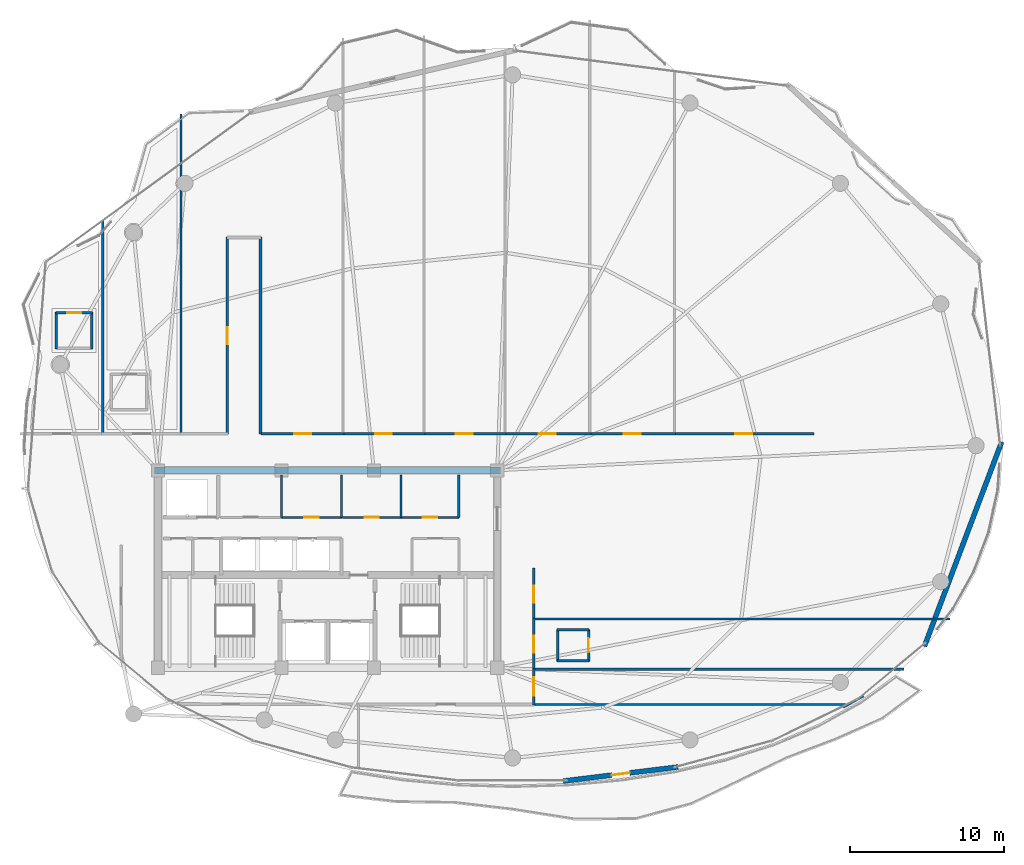
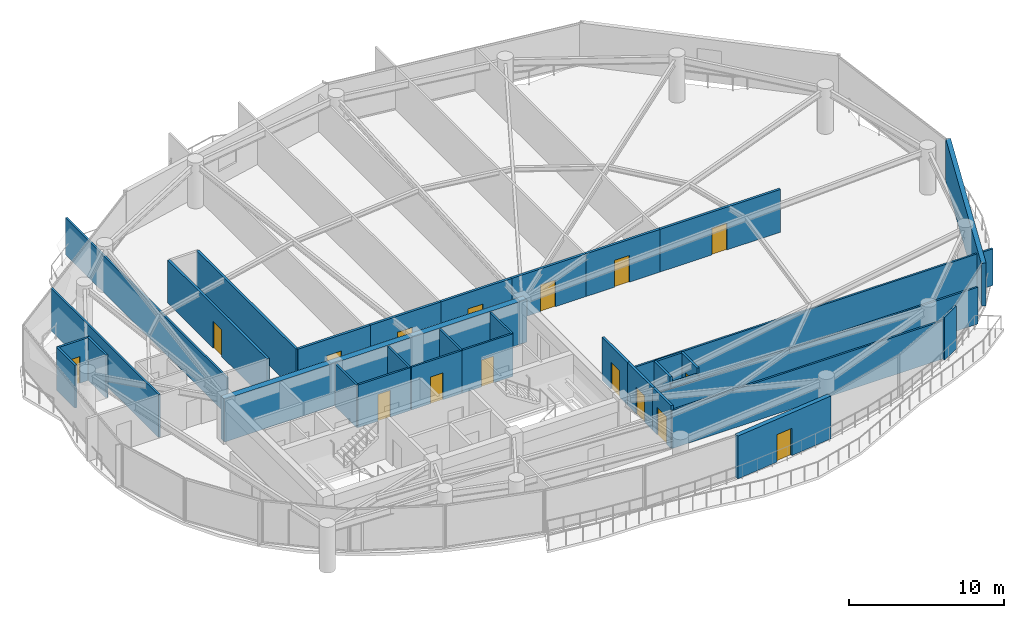
# One storey, part 26 of 31: 34 walls, 16 doors, 16 openings.
"""IFC4 building model written with IfcOpenShell, lengths in metres."""

from ifc_helpers import new_model, si_unit, direction, frame, frame_2d, origin, place, context, subcontext, project, spatial, rectangle, extrude, material, layer, layer_set, type_object, element, fill, save


model = new_model("IFC4")

# Units and contexts
model_context = context("Model", 3, precision=1e-05, world=origin(), true_north=direction((0.0, 1.0)))
body_context = subcontext(model_context, "Body", "Model", "MODEL_VIEW")
ifc_project = project(units=[si_unit("LENGTHUNIT", "METRE"), si_unit("AREAUNIT", "SQUARE_METRE"), si_unit("VOLUMEUNIT", "CUBIC_METRE"), si_unit("PLANEANGLEUNIT", "RADIAN"), si_unit("MASSUNIT", "GRAM", prefix="KILO")], contexts=[model_context])

# Site, building, storey
site_placement = place(None, origin())
site = spatial("IfcSite", under=ifc_project, at=site_placement, CompositionType="ELEMENT")
building_placement = place(site_placement, origin())
building = spatial("IfcBuilding", under=site, at=building_placement, Name="Kazevale Care Tower and Concert Hall", CompositionType="ELEMENT")
storey_placement = place(building_placement, frame((0.0, 0.0, 217.199951171875)))
storey = spatial("IfcBuildingStorey", under=building, at=storey_placement, Name="L57", CompositionType="ELEMENT", Elevation=217.199951171875)

# Wall, opening, door
ifc_material_1 = material(Name="Acoustic Gypsum on Steel Stud", Category="steel")
ifc_layer_1 = layer(ifc_material_1, 0.139892578125)
ifc_layer_set_1 = layer_set([ifc_layer_1], Name="Acoustic Gypsum on Steel Stud")
wall_type_1 = type_object("IfcWallType", Name="Acoustic Care & Suite Partition 140", PredefinedType="PARTITIONING", material=ifc_layer_set_1)
wall_1_placement = place(storey_placement, frame((30.0, 33.35009765625, 0.0), z_axis=(0.0, 0.0, 1.0), x_axis=(1.0, 0.0, 0.0)))
wall_1 = element("IfcWall", 1, at=wall_1_placement, inside=storey, type_object=wall_type_1, Name="wall:L57:c_rpl2_s", PredefinedType="PARTITIONING", context=body_context, shape_type="SweptSolid", body=[
    extrude(rectangle(XDim=3.919921875, YDim=0.139892578125, at=frame_2d((1.9599609375, 0.0))), origin(), (0.0, 0.0, 1.0), 3.360107421875),
])
opening_1_placement = place(wall_1_placement, frame((1.5, 0.0, 0.0)))
opening_1 = element("IfcOpeningElement", 2, at=opening_1_placement, cuts=wall_1, Name="Opening ID-900", PredefinedType="OPENING", context=body_context, shape_type="SweptSolid", body=[
    extrude(rectangle(XDim=0.919921875, YDim=2.10009765625, at=frame_2d((0.4599609375, 1.050048828125))), frame((0.0, 0.079833984375, 0.0), z_axis=(0.0, -1.0, 0.0), x_axis=(1.0, 0.0, 0.0)), (0.0, 0.0, 1.0), 0.159912109375),
])
ifc_material_2 = material(Name="Oak Timber Fire Leaf", Category="wood")
door_type_1 = type_object("IfcDoorType", Name="Bathroom & Service Door 920x2100", OperationType="NOTDEFINED", PredefinedType="DOOR", material=ifc_material_2)
door_1_placement = place(opening_1_placement, origin())
door_1 = element("IfcDoor", 3, at=door_1_placement, inside=storey, type_object=door_type_1, Name="door:L57:d_rpl2", OperationType="SINGLE_SWING_RIGHT", OverallHeight=2.10009765625, OverallWidth=0.919921875, PredefinedType="DOOR", context=body_context, shape_type="SweptSolid", body=[
    extrude(rectangle(XDim=0.919921875, YDim=2.10009765625, at=frame_2d((0.4599609375, 1.050048828125))), frame((0.0, 0.02490234375, 0.0), z_axis=(0.0, -1.0, 0.0), x_axis=(1.0, 0.0, 0.0)), (0.0, 0.0, 1.0), 0.050048828125),
])
fill(opening_1, door_1)

# Walls
for number, where, z_axis, x_axis, name in (
    (4, (30.0, 33.35009765625, 0.0), (0.0, 0.0, 1.0), (0.0, 1.0, 0.0), "wall:L57:c_rpl_m"),
    (5, (33.89990234375, 33.35009765625, 0.0), (0.0, 0.0, 1.0), (0.0, 1.0, 0.0), "wall:L57:c_rpl_e"),
):
    element("IfcWall", number, at=place(storey_placement, frame(where, z_axis=z_axis, x_axis=x_axis)), inside=storey, type_object=wall_type_1, Name=name, PredefinedType="PARTITIONING", context=body_context, shape_type="SweptSolid", body=[
        extrude(rectangle(XDim=2.75, YDim=0.139892578125, at=frame_2d((1.375, 0.0))), origin(), (0.0, 0.0, 1.0), 3.360107421875),
    ])

# Wall, opening, door
wall_2_placement = place(storey_placement, frame((33.97998046875, 33.35009765625, 0.0), z_axis=(0.0, 0.0, 1.0), x_axis=(1.0, 0.0, 0.0)))
wall_2 = element("IfcWall", 6, at=wall_2_placement, inside=storey, type_object=wall_type_1, Name="wall:L57:c_rpm1_s", PredefinedType="PARTITIONING", context=body_context, shape_type="SweptSolid", body=[
    extrude(rectangle(XDim=3.77001953125, YDim=0.139892578125, at=frame_2d((1.885009765625, 0.0))), origin(), (0.0, 0.0, 1.0), 3.360107421875),
])
opening_2_placement = place(wall_2_placement, frame((1.425048828125, 0.0, 0.0)))
opening_2 = element("IfcOpeningElement", 7, at=opening_2_placement, cuts=wall_2, Name="Opening ID-900", PredefinedType="OPENING", context=body_context, shape_type="SweptSolid", body=[
    extrude(rectangle(XDim=0.919921875, YDim=2.10009765625, at=frame_2d((0.4599609375, 1.050048828125))), frame((0.0, 0.079833984375, 0.0), z_axis=(0.0, -1.0, 0.0), x_axis=(1.0, 0.0, 0.0)), (0.0, 0.0, 1.0), 0.159912109375),
])
door_2_placement = place(opening_2_placement, origin())
door_2 = element("IfcDoor", 8, at=door_2_placement, inside=storey, type_object=door_type_1, Name="door:L57:d_rpm1", OperationType="SINGLE_SWING_LEFT", OverallHeight=2.10009765625, OverallWidth=0.919921875, PredefinedType="DOOR", context=body_context, shape_type="SweptSolid", body=[
    extrude(rectangle(XDim=0.919921875, YDim=2.10009765625, at=frame_2d((0.4599609375, 1.050048828125))), frame((0.0, 0.02490234375, 0.0), z_axis=(0.0, -1.0, 0.0), x_axis=(1.0, 0.0, 0.0)), (0.0, 0.0, 1.0), 0.050048828125),
])
fill(opening_2, door_2)

wall_3_placement = place(storey_placement, frame((37.75, 33.35009765625, 0.0), z_axis=(0.0, 0.0, 1.0), x_axis=(1.0, 0.0, 0.0)))
wall_3 = element("IfcWall", 9, at=wall_3_placement, inside=storey, type_object=wall_type_1, Name="wall:L57:c_rpm2_s", PredefinedType="PARTITIONING", context=body_context, shape_type="SweptSolid", body=[
    extrude(rectangle(XDim=3.77001953125, YDim=0.139892578125, at=frame_2d((1.885009765625, 0.0))), origin(), (0.0, 0.0, 1.0), 3.360107421875),
])
opening_3_placement = place(wall_3_placement, frame((1.425048828125, 0.0, 0.0)))
opening_3 = element("IfcOpeningElement", 10, at=opening_3_placement, cuts=wall_3, Name="Opening ID-900", PredefinedType="OPENING", context=body_context, shape_type="SweptSolid", body=[
    extrude(rectangle(XDim=0.919921875, YDim=2.10009765625, at=frame_2d((0.4599609375, 1.050048828125))), frame((0.0, 0.079833984375, 0.0), z_axis=(0.0, -1.0, 0.0), x_axis=(1.0, 0.0, 0.0)), (0.0, 0.0, 1.0), 0.159912109375),
])
door_3_placement = place(opening_3_placement, origin())
door_3 = element("IfcDoor", 11, at=door_3_placement, inside=storey, type_object=door_type_1, Name="door:L57:d_rpm2", OperationType="SINGLE_SWING_RIGHT", OverallHeight=2.10009765625, OverallWidth=0.919921875, PredefinedType="DOOR", context=body_context, shape_type="SweptSolid", body=[
    extrude(rectangle(XDim=0.919921875, YDim=2.10009765625, at=frame_2d((0.4599609375, 1.050048828125))), frame((0.0, 0.02490234375, 0.0), z_axis=(0.0, -1.0, 0.0), x_axis=(1.0, 0.0, 0.0)), (0.0, 0.0, 1.0), 0.050048828125),
])
fill(opening_3, door_3)

# Walls
for number, where, z_axis, x_axis, name in (
    (12, (37.75, 33.35009765625, 0.0), (0.0, 0.0, 1.0), (0.0, 1.0, 0.0), "wall:L57:c_rpm_m"),
    (13, (41.5, 33.35009765625, 0.0), (0.0, 0.0, 1.0), (0.0, 1.0, 0.0), "wall:L57:c_rpm_e"),
):
    element("IfcWall", number, at=place(storey_placement, frame(where, z_axis=z_axis, x_axis=x_axis)), inside=storey, type_object=wall_type_1, Name=name, PredefinedType="PARTITIONING", context=body_context, shape_type="SweptSolid", body=[
        extrude(rectangle(XDim=2.75, YDim=0.139892578125, at=frame_2d((1.375, 0.0))), origin(), (0.0, 0.0, 1.0), 3.360107421875),
    ])
wall_4_placement = place(storey_placement, frame((18.419921875, 52.586669921875, 0.0), z_axis=(0.0, 0.0, 1.0), x_axis=(0.0, -1.0, 0.0)))
element("IfcWall", 14, at=wall_4_placement, inside=storey, type_object=wall_type_1, Name="wall:L57:auto_019", PredefinedType="PARTITIONING", context=body_context, shape_type="SweptSolid", body=[
    extrude(rectangle(XDim=13.841552734375, YDim=0.139892578125, at=frame_2d((6.9208984375, 0.0))), origin(), (0.0, 0.0, 1.0), 3.360107421875),
])
wall_5_placement = place(storey_placement, frame((23.5, 59.51611328125, 0.0), z_axis=(0.0, 0.0, 1.0), x_axis=(0.0, -1.0, 0.0)))
element("IfcWall", 15, at=wall_5_placement, inside=storey, type_object=wall_type_1, Name="wall:L57:auto_020", PredefinedType="PARTITIONING", context=body_context, shape_type="SweptSolid", body=[
    extrude(rectangle(XDim=20.77099609375, YDim=0.139892578125, at=frame_2d((10.385498046875, 0.0))), origin(), (0.0, 0.0, 1.0), 2.89013671875),
])
wall_6_placement = place(storey_placement, frame((46.344970703125, 23.5, 0.0), z_axis=(0.0, 0.0, 1.0), x_axis=(1.0, 0.0, 0.0)))
element("IfcWall", 16, at=wall_6_placement, inside=storey, type_object=wall_type_1, Name="wall:L57:auto_027", PredefinedType="PARTITIONING", context=body_context, shape_type="SweptSolid", body=[
    extrude(rectangle(XDim=24.01708984375, YDim=0.139892578125, at=frame_2d((12.008544921875, 0.0))), origin(), (0.0, 0.0, 1.0), 2.89013671875),
])
wall_7_placement = place(storey_placement, frame((66.683837890625, 21.22509765625, 0.0), z_axis=(0.0, 0.0, 1.0), x_axis=(-1.0, 0.0, 0.0)))
element("IfcWall", 17, at=wall_7_placement, inside=storey, type_object=wall_type_1, Name="wall:L57:auto_028", PredefinedType="PARTITIONING", context=body_context, shape_type="SweptSolid", body=[
    extrude(rectangle(XDim=20.3388671875, YDim=0.139892578125, at=frame_2d((10.16943359375, 0.0))), origin(), (0.0, 0.0, 1.0), 2.99609375),
])
wall_8_placement = place(storey_placement, frame((67.748046875, 21.77001953125, 0.0), z_axis=(0.0, 0.0, 1.0), x_axis=(-0.871352238731, -0.490658003153, 0.0)))
element("IfcWall", 18, at=wall_8_placement, inside=storey, type_object=wall_type_1, Name="wall:L57:auto_029", PredefinedType="PARTITIONING", context=body_context, shape_type="SweptSolid", body=[
    extrude(rectangle(XDim=1.48974609375, YDim=0.139892578125, at=frame_2d((0.744873046875, 0.0))), origin(), (0.0, 0.0, 1.0), 3.360107421875),
])
wall_9_placement = place(storey_placement, frame((46.344970703125, 26.75, 0.0), z_axis=(0.0, 0.0, 1.0), x_axis=(1.0, 0.0, 0.0)))
element("IfcWall", 19, at=wall_9_placement, inside=storey, type_object=wall_type_1, Name="wall:L57:auto_030", PredefinedType="PARTITIONING", context=body_context, shape_type="SweptSolid", body=[
    extrude(rectangle(XDim=27.013916015625, YDim=0.139892578125, at=frame_2d((13.5068359375, 0.0))), origin(), (0.0, 0.0, 1.0), 2.89013671875),
])
ifc_material_3 = material(Name="Concrete C50", Category="concrete")
ifc_layer_2 = layer(ifc_material_3, 0.449951171875)
ifc_layer_set_2 = layer_set([ifc_layer_2], Name="Concrete C50")
wall_type_2 = type_object("IfcWallType", Name="Core Shear Wall 450 C50", PredefinedType="SHEAR", material=ifc_layer_set_2)
wall_10_placement = place(storey_placement, frame((21.77490234375, 36.39990234375, 0.0), z_axis=(0.0, 0.0, 1.0), x_axis=(1.0, 0.0, 0.0)))
element("IfcWall", 20, at=wall_10_placement, inside=storey, type_object=wall_type_2, Name="wall:L57:core:N", PredefinedType="SHEAR", context=body_context, shape_type="SweptSolid", body=[
    extrude(rectangle(XDim=22.4501953125, YDim=0.449951171875, at=frame_2d((11.22509765625, 0.0))), origin(), (0.0, 0.0, 1.0), 3.360107421875),
])

# Wall, opening, door
ifc_material_4 = material(Name="Concrete C40 and Acoustic Gypsum", Category="concrete")
ifc_layer_3 = layer(ifc_material_4, 0.179931640625)
ifc_layer_set_3 = layer_set([ifc_layer_3], Name="Concrete C40 and Acoustic Gypsum")
wall_type_3 = type_object("IfcWallType", Name="Fire-Rated Corridor & Party Wall 180", PredefinedType="PARTITIONING", material=ifc_layer_set_3)
wall_11_placement = place(storey_placement, frame((26.5, 38.7451171875, 0.0), z_axis=(0.0, 0.0, 1.0), x_axis=(0.0, 1.0, 0.0)))
wall_11 = element("IfcWall", 21, at=wall_11_placement, inside=storey, type_object=wall_type_3, Name="wall:L57:auto_003", PredefinedType="PARTITIONING", context=body_context, shape_type="SweptSolid", body=[
    extrude(rectangle(XDim=12.784912109375, YDim=0.179931640625, at=frame_2d((6.392578125, 0.0))), origin(), (0.0, 0.0, 1.0), 3.360107421875),
])
opening_4_placement = place(wall_11_placement, frame((5.843017578125, 0.0, 0.0)))
opening_4 = element("IfcOpeningElement", 22, at=opening_4_placement, cuts=wall_11, Name="Opening ID-1100", PredefinedType="OPENING", context=body_context, shape_type="SweptSolid", body=[
    extrude(rectangle(XDim=1.10009765625, YDim=2.10009765625, at=frame_2d((0.550048828125, 1.050048828125))), frame((0.0, 0.099853515625, 0.0), z_axis=(0.0, -1.0, 0.0), x_axis=(1.0, 0.0, 0.0)), (0.0, 0.0, 1.0), 0.199951171875),
])
door_type_2 = type_object("IfcDoorType", Name="Care Bedroom Accessible Door 1100x2100", OperationType="NOTDEFINED", PredefinedType="DOOR", material=ifc_material_2)
door_4_placement = place(opening_4_placement, origin())
door_4 = element("IfcDoor", 23, at=door_4_placement, inside=storey, type_object=door_type_2, Name="door:L57:ad_003", OperationType="SINGLE_SWING_LEFT", OverallHeight=2.10009765625, OverallWidth=1.10009765625, PredefinedType="DOOR", context=body_context, shape_type="SweptSolid", body=[
    extrude(rectangle(XDim=1.10009765625, YDim=2.10009765625, at=frame_2d((0.550048828125, 1.050048828125))), frame((0.0, 0.02490234375, 0.0), z_axis=(0.0, -1.0, 0.0), x_axis=(1.0, 0.0, 0.0)), (0.0, 0.0, 1.0), 0.050048828125),
])
fill(opening_4, door_4)

# Wall
wall_12_placement = place(storey_placement, frame((28.64990234375, 51.530029296875, 0.0), z_axis=(0.0, 0.0, 1.0), x_axis=(0.0, -1.0, 0.0)))
element("IfcWall", 24, at=wall_12_placement, inside=storey, type_object=wall_type_3, Name="wall:L57:auto_004", PredefinedType="PARTITIONING", context=body_context, shape_type="SweptSolid", body=[
    extrude(rectangle(XDim=12.784912109375, YDim=0.179931640625, at=frame_2d((6.392578125, 0.0))), origin(), (0.0, 0.0, 1.0), 3.360107421875),
])

# Wall, opening, door
wall_13_placement = place(storey_placement, frame((28.68505859375, 38.77490234375, 0.0), z_axis=(0.0, 0.0, 1.0), x_axis=(1.0, 0.0, 0.0)))
wall_13 = element("IfcWall", 25, at=wall_13_placement, inside=storey, type_object=wall_type_3, Name="wall:L57:auto_007", PredefinedType="PARTITIONING", context=body_context, shape_type="SweptSolid", body=[
    extrude(rectangle(XDim=5.3798828125, YDim=0.179931640625, at=frame_2d((2.68994140625, 0.0))), origin(), (0.0, 0.0, 1.0), 3.360107421875),
])
opening_5_placement = place(wall_13_placement, frame((2.139892578125, 0.0, 0.0)))
opening_5 = element("IfcOpeningElement", 26, at=opening_5_placement, cuts=wall_13, Name="Opening ID-1100", PredefinedType="OPENING", context=body_context, shape_type="SweptSolid", body=[
    extrude(rectangle(XDim=1.10009765625, YDim=2.10009765625, at=frame_2d((0.550048828125, 1.050048828125))), frame((0.0, 0.099853515625, 0.0), z_axis=(0.0, -1.0, 0.0), x_axis=(1.0, 0.0, 0.0)), (0.0, 0.0, 1.0), 0.199951171875),
])
door_5_placement = place(opening_5_placement, origin())
door_5 = element("IfcDoor", 27, at=door_5_placement, inside=storey, type_object=door_type_2, Name="door:L57:ad_007", OperationType="SINGLE_SWING_LEFT", OverallHeight=2.10009765625, OverallWidth=1.10009765625, PredefinedType="DOOR", context=body_context, shape_type="SweptSolid", body=[
    extrude(rectangle(XDim=1.10009765625, YDim=2.10009765625, at=frame_2d((0.550048828125, 1.050048828125))), frame((0.0, 0.02490234375, 0.0), z_axis=(0.0, -1.0, 0.0), x_axis=(1.0, 0.0, 0.0)), (0.0, 0.0, 1.0), 0.050048828125),
])
fill(opening_5, door_5)

wall_14_placement = place(storey_placement, frame((33.93505859375, 38.77490234375, 0.0), z_axis=(0.0, 0.0, 1.0), x_axis=(1.0, 0.0, 0.0)))
wall_14 = element("IfcWall", 28, at=wall_14_placement, inside=storey, type_object=wall_type_3, Name="wall:L57:auto_008", PredefinedType="PARTITIONING", context=body_context, shape_type="SweptSolid", body=[
    extrude(rectangle(XDim=5.3798828125, YDim=0.179931640625, at=frame_2d((2.68994140625, 0.0))), origin(), (0.0, 0.0, 1.0), 3.360107421875),
])
opening_6_placement = place(wall_14_placement, frame((2.139892578125, 0.0, 0.0)))
opening_6 = element("IfcOpeningElement", 29, at=opening_6_placement, cuts=wall_14, Name="Opening ID-1100", PredefinedType="OPENING", context=body_context, shape_type="SweptSolid", body=[
    extrude(rectangle(XDim=1.10009765625, YDim=2.10009765625, at=frame_2d((0.550048828125, 1.050048828125))), frame((0.0, 0.099853515625, 0.0), z_axis=(0.0, -1.0, 0.0), x_axis=(1.0, 0.0, 0.0)), (0.0, 0.0, 1.0), 0.199951171875),
])
door_6_placement = place(opening_6_placement, origin())
door_6 = element("IfcDoor", 30, at=door_6_placement, inside=storey, type_object=door_type_2, Name="door:L57:ad_008", OperationType="SINGLE_SWING_LEFT", OverallHeight=2.10009765625, OverallWidth=1.10009765625, PredefinedType="DOOR", context=body_context, shape_type="SweptSolid", body=[
    extrude(rectangle(XDim=1.10009765625, YDim=2.10009765625, at=frame_2d((0.550048828125, 1.050048828125))), frame((0.0, 0.02490234375, 0.0), z_axis=(0.0, -1.0, 0.0), x_axis=(1.0, 0.0, 0.0)), (0.0, 0.0, 1.0), 0.050048828125),
])
fill(opening_6, door_6)

wall_15_placement = place(storey_placement, frame((39.18505859375, 38.77490234375, 0.0), z_axis=(0.0, 0.0, 1.0), x_axis=(1.0, 0.0, 0.0)))
wall_15 = element("IfcWall", 31, at=wall_15_placement, inside=storey, type_object=wall_type_3, Name="wall:L57:auto_009", PredefinedType="PARTITIONING", context=body_context, shape_type="SweptSolid", body=[
    extrude(rectangle(XDim=5.3798828125, YDim=0.179931640625, at=frame_2d((2.68994140625, 0.0))), origin(), (0.0, 0.0, 1.0), 3.360107421875),
])
opening_7_placement = place(wall_15_placement, frame((2.139892578125, 0.0, 0.0)))
opening_7 = element("IfcOpeningElement", 32, at=opening_7_placement, cuts=wall_15, Name="Opening ID-1100", PredefinedType="OPENING", context=body_context, shape_type="SweptSolid", body=[
    extrude(rectangle(XDim=1.10009765625, YDim=2.10009765625, at=frame_2d((0.550048828125, 1.050048828125))), frame((0.0, 0.099853515625, 0.0), z_axis=(0.0, -1.0, 0.0), x_axis=(1.0, 0.0, 0.0)), (0.0, 0.0, 1.0), 0.199951171875),
])
door_7_placement = place(opening_7_placement, origin())
door_7 = element("IfcDoor", 33, at=door_7_placement, inside=storey, type_object=door_type_2, Name="door:L57:ad_009", OperationType="SINGLE_SWING_LEFT", OverallHeight=2.10009765625, OverallWidth=1.10009765625, PredefinedType="DOOR", context=body_context, shape_type="SweptSolid", body=[
    extrude(rectangle(XDim=1.10009765625, YDim=2.10009765625, at=frame_2d((0.550048828125, 1.050048828125))), frame((0.0, 0.02490234375, 0.0), z_axis=(0.0, -1.0, 0.0), x_axis=(1.0, 0.0, 0.0)), (0.0, 0.0, 1.0), 0.050048828125),
])
fill(opening_7, door_7)

wall_16_placement = place(storey_placement, frame((44.43505859375, 38.77490234375, 0.0), z_axis=(0.0, 0.0, 1.0), x_axis=(1.0, 0.0, 0.0)))
wall_16 = element("IfcWall", 34, at=wall_16_placement, inside=storey, type_object=wall_type_3, Name="wall:L57:auto_010", PredefinedType="PARTITIONING", context=body_context, shape_type="SweptSolid", body=[
    extrude(rectangle(XDim=5.6298828125, YDim=0.179931640625, at=frame_2d((2.81494140625, 0.0))), origin(), (0.0, 0.0, 1.0), 3.360107421875),
])
opening_8_placement = place(wall_16_placement, frame((2.264892578125, 0.0, 0.0)))
opening_8 = element("IfcOpeningElement", 35, at=opening_8_placement, cuts=wall_16, Name="Opening ID-1100", PredefinedType="OPENING", context=body_context, shape_type="SweptSolid", body=[
    extrude(rectangle(XDim=1.10009765625, YDim=2.10009765625, at=frame_2d((0.550048828125, 1.050048828125))), frame((0.0, 0.099853515625, 0.0), z_axis=(0.0, -1.0, 0.0), x_axis=(1.0, 0.0, 0.0)), (0.0, 0.0, 1.0), 0.199951171875),
])
door_8_placement = place(opening_8_placement, origin())
door_8 = element("IfcDoor", 36, at=door_8_placement, inside=storey, type_object=door_type_2, Name="door:L57:ad_010", OperationType="SINGLE_SWING_LEFT", OverallHeight=2.10009765625, OverallWidth=1.10009765625, PredefinedType="DOOR", context=body_context, shape_type="SweptSolid", body=[
    extrude(rectangle(XDim=1.10009765625, YDim=2.10009765625, at=frame_2d((0.550048828125, 1.050048828125))), frame((0.0, 0.02490234375, 0.0), z_axis=(0.0, -1.0, 0.0), x_axis=(1.0, 0.0, 0.0)), (0.0, 0.0, 1.0), 0.050048828125),
])
fill(opening_8, door_8)

wall_17_placement = place(storey_placement, frame((49.93505859375, 38.77490234375, 0.0), z_axis=(0.0, 0.0, 1.0), x_axis=(1.0, 0.0, 0.0)))
wall_17 = element("IfcWall", 37, at=wall_17_placement, inside=storey, type_object=wall_type_3, Name="wall:L57:auto_011", PredefinedType="PARTITIONING", context=body_context, shape_type="SweptSolid", body=[
    extrude(rectangle(XDim=5.6298828125, YDim=0.179931640625, at=frame_2d((2.81494140625, 0.0))), origin(), (0.0, 0.0, 1.0), 3.360107421875),
])
opening_9_placement = place(wall_17_placement, frame((2.264892578125, 0.0, 0.0)))
opening_9 = element("IfcOpeningElement", 38, at=opening_9_placement, cuts=wall_17, Name="Opening ID-1100", PredefinedType="OPENING", context=body_context, shape_type="SweptSolid", body=[
    extrude(rectangle(XDim=1.10009765625, YDim=2.10009765625, at=frame_2d((0.550048828125, 1.050048828125))), frame((0.0, 0.099853515625, 0.0), z_axis=(0.0, -1.0, 0.0), x_axis=(1.0, 0.0, 0.0)), (0.0, 0.0, 1.0), 0.199951171875),
])
door_9_placement = place(opening_9_placement, origin())
door_9 = element("IfcDoor", 39, at=door_9_placement, inside=storey, type_object=door_type_2, Name="door:L57:ad_011", OperationType="SINGLE_SWING_LEFT", OverallHeight=2.10009765625, OverallWidth=1.10009765625, PredefinedType="DOOR", context=body_context, shape_type="SweptSolid", body=[
    extrude(rectangle(XDim=1.10009765625, YDim=2.10009765625, at=frame_2d((0.550048828125, 1.050048828125))), frame((0.0, 0.02490234375, 0.0), z_axis=(0.0, -1.0, 0.0), x_axis=(1.0, 0.0, 0.0)), (0.0, 0.0, 1.0), 0.050048828125),
])
fill(opening_9, door_9)

wall_18_placement = place(storey_placement, frame((55.43505859375, 38.77490234375, 0.0), z_axis=(0.0, 0.0, 1.0), x_axis=(1.0, 0.0, 0.0)))
wall_18 = element("IfcWall", 40, at=wall_18_placement, inside=storey, type_object=wall_type_3, Name="wall:L57:auto_012", PredefinedType="PARTITIONING", context=body_context, shape_type="SweptSolid", body=[
    extrude(rectangle(XDim=9.094970703125, YDim=0.179931640625, at=frame_2d((4.54736328125, 0.0))), origin(), (0.0, 0.0, 1.0), 3.360107421875),
])
opening_10_placement = place(wall_18_placement, frame((3.998046875, 0.0, 0.0)))
opening_10 = element("IfcOpeningElement", 41, at=opening_10_placement, cuts=wall_18, Name="Opening ID-1100", PredefinedType="OPENING", context=body_context, shape_type="SweptSolid", body=[
    extrude(rectangle(XDim=1.10009765625, YDim=2.10009765625, at=frame_2d((0.550048828125, 1.050048828125))), frame((0.0, 0.099853515625, 0.0), z_axis=(0.0, -1.0, 0.0), x_axis=(1.0, 0.0, 0.0)), (0.0, 0.0, 1.0), 0.199951171875),
])
door_10_placement = place(opening_10_placement, origin())
door_10 = element("IfcDoor", 42, at=door_10_placement, inside=storey, type_object=door_type_2, Name="door:L57:ad_012", OperationType="SINGLE_SWING_LEFT", OverallHeight=2.10009765625, OverallWidth=1.10009765625, PredefinedType="DOOR", context=body_context, shape_type="SweptSolid", body=[
    extrude(rectangle(XDim=1.10009765625, YDim=2.10009765625, at=frame_2d((0.550048828125, 1.050048828125))), frame((0.0, 0.02490234375, 0.0), z_axis=(0.0, -1.0, 0.0), x_axis=(1.0, 0.0, 0.0)), (0.0, 0.0, 1.0), 0.050048828125),
])
fill(opening_10, door_10)

wall_19_placement = place(storey_placement, frame((46.375, 23.56494140625, 0.0), z_axis=(0.0, 0.0, 1.0), x_axis=(0.0, -1.0, 0.0)))
wall_19 = element("IfcWall", 43, at=wall_19_placement, inside=storey, type_object=wall_type_3, Name="wall:L57:auto_013", PredefinedType="PARTITIONING", context=body_context, shape_type="SweptSolid", body=[
    extrude(rectangle(XDim=2.369873046875, YDim=0.179931640625, at=frame_2d((1.18505859375, 0.0))), origin(), (0.0, 0.0, 1.0), 3.360107421875),
])
opening_11_placement = place(wall_19_placement, frame((0.5849609375, 0.0, 0.0)))
opening_11 = element("IfcOpeningElement", 44, at=opening_11_placement, cuts=wall_19, Name="Opening ID-1200", PredefinedType="OPENING", context=body_context, shape_type="SweptSolid", body=[
    extrude(rectangle(XDim=1.199951171875, YDim=2.14990234375, at=frame_2d((0.60009765625, 1.074951171875))), frame((0.0, 0.099853515625, 0.0), z_axis=(0.0, -1.0, 0.0), x_axis=(1.0, 0.0, 0.0)), (0.0, 0.0, 1.0), 0.199951171875),
])
door_type_3 = type_object("IfcDoorType", Name="Clinical & Therapy Door 1200x2150", OperationType="NOTDEFINED", PredefinedType="DOOR", material=ifc_material_2)
door_11_placement = place(opening_11_placement, origin())
door_11 = element("IfcDoor", 45, at=door_11_placement, inside=storey, type_object=door_type_3, Name="door:L57:ad_013", OperationType="SINGLE_SWING_LEFT", OverallHeight=2.14990234375, OverallWidth=1.199951171875, PredefinedType="DOOR", context=body_context, shape_type="SweptSolid", body=[
    extrude(rectangle(XDim=1.199951171875, YDim=2.14990234375, at=frame_2d((0.60009765625, 1.074951171875))), frame((0.0, 0.02490234375, 0.0), z_axis=(0.0, -1.0, 0.0), x_axis=(1.0, 0.0, 0.0)), (0.0, 0.0, 1.0), 0.050048828125),
])
fill(opening_11, door_11)

wall_20_placement = place(storey_placement, frame((46.375, 26.81494140625, 0.0), z_axis=(0.0, 0.0, 1.0), x_axis=(0.0, -1.0, 0.0)))
wall_20 = element("IfcWall", 46, at=wall_20_placement, inside=storey, type_object=wall_type_3, Name="wall:L57:auto_014", PredefinedType="PARTITIONING", context=body_context, shape_type="SweptSolid", body=[
    extrude(rectangle(XDim=3.3798828125, YDim=0.179931640625, at=frame_2d((1.68994140625, 0.0))), origin(), (0.0, 0.0, 1.0), 3.360107421875),
])
opening_12_placement = place(wall_20_placement, frame((1.139892578125, 0.0, 0.0)))
opening_12 = element("IfcOpeningElement", 47, at=opening_12_placement, cuts=wall_20, Name="Opening ID-1100", PredefinedType="OPENING", context=body_context, shape_type="SweptSolid", body=[
    extrude(rectangle(XDim=1.10009765625, YDim=2.10009765625, at=frame_2d((0.550048828125, 1.050048828125))), frame((0.0, 0.099853515625, 0.0), z_axis=(0.0, -1.0, 0.0), x_axis=(1.0, 0.0, 0.0)), (0.0, 0.0, 1.0), 0.199951171875),
])
door_12_placement = place(opening_12_placement, origin())
door_12 = element("IfcDoor", 48, at=door_12_placement, inside=storey, type_object=door_type_2, Name="door:L57:ad_014", OperationType="SINGLE_SWING_LEFT", OverallHeight=2.10009765625, OverallWidth=1.10009765625, PredefinedType="DOOR", context=body_context, shape_type="SweptSolid", body=[
    extrude(rectangle(XDim=1.10009765625, YDim=2.10009765625, at=frame_2d((0.550048828125, 1.050048828125))), frame((0.0, 0.02490234375, 0.0), z_axis=(0.0, -1.0, 0.0), x_axis=(1.0, 0.0, 0.0)), (0.0, 0.0, 1.0), 0.050048828125),
])
fill(opening_12, door_12)

wall_21_placement = place(storey_placement, frame((46.375, 30.06494140625, 0.0), z_axis=(0.0, 0.0, 1.0), x_axis=(0.0, -1.0, 0.0)))
wall_21 = element("IfcWall", 49, at=wall_21_placement, inside=storey, type_object=wall_type_3, Name="wall:L57:auto_015", PredefinedType="PARTITIONING", context=body_context, shape_type="SweptSolid", body=[
    extrude(rectangle(XDim=3.3798828125, YDim=0.179931640625, at=frame_2d((1.68994140625, 0.0))), origin(), (0.0, 0.0, 1.0), 3.360107421875),
])
opening_13_placement = place(wall_21_placement, frame((1.139892578125, 0.0, 0.0)))
opening_13 = element("IfcOpeningElement", 50, at=opening_13_placement, cuts=wall_21, Name="Opening ID-1100", PredefinedType="OPENING", context=body_context, shape_type="SweptSolid", body=[
    extrude(rectangle(XDim=1.10009765625, YDim=2.10009765625, at=frame_2d((0.550048828125, 1.050048828125))), frame((0.0, 0.099853515625, 0.0), z_axis=(0.0, -1.0, 0.0), x_axis=(1.0, 0.0, 0.0)), (0.0, 0.0, 1.0), 0.199951171875),
])
door_13_placement = place(opening_13_placement, origin())
door_13 = element("IfcDoor", 51, at=door_13_placement, inside=storey, type_object=door_type_2, Name="door:L57:ad_015", OperationType="SINGLE_SWING_LEFT", OverallHeight=2.10009765625, OverallWidth=1.10009765625, PredefinedType="DOOR", context=body_context, shape_type="SweptSolid", body=[
    extrude(rectangle(XDim=1.10009765625, YDim=2.10009765625, at=frame_2d((0.550048828125, 1.050048828125))), frame((0.0, 0.02490234375, 0.0), z_axis=(0.0, -1.0, 0.0), x_axis=(1.0, 0.0, 0.0)), (0.0, 0.0, 1.0), 0.050048828125),
])
fill(opening_13, door_13)

ifc_layer_4 = layer(ifc_material_1, 0.159912109375)
ifc_layer_set_4 = layer_set([ifc_layer_4], Name="Acoustic Gypsum on Steel Stud")
wall_type_4 = type_object("IfcWallType", Name="Moisture-Resistant Bathroom Plumbing Wall 160", PredefinedType="PLUMBINGWALL", material=ifc_layer_set_4)
wall_22_placement = place(storey_placement, frame((15.3779296875, 46.625, 0.0), z_axis=(0.0, 0.0, 1.0), x_axis=(1.0, 0.0, 0.0)))
wall_22 = element("IfcWall", 52, at=wall_22_placement, inside=storey, type_object=wall_type_4, Name="wall:L57:nb1a_ens_wn", PredefinedType="PLUMBINGWALL", context=body_context, shape_type="SweptSolid", body=[
    extrude(rectangle(XDim=2.380126953125, YDim=0.159912109375, at=frame_2d((1.18994140625, 0.0))), origin(), (0.0, 0.0, 1.0), 3.360107421875),
])
opening_14_placement = place(wall_22_placement, frame((0.739990234375, 0.0, 0.0)))
opening_14 = element("IfcOpeningElement", 53, at=opening_14_placement, cuts=wall_22, Name="Opening ID-900", PredefinedType="OPENING", context=body_context, shape_type="SweptSolid", body=[
    extrude(rectangle(XDim=0.919921875, YDim=2.10009765625, at=frame_2d((0.4599609375, 1.050048828125))), frame((0.0, 0.08984375, 0.0), z_axis=(0.0, -1.0, 0.0), x_axis=(1.0, 0.0, 0.0)), (0.0, 0.0, 1.0), 0.179931640625),
])
door_14_placement = place(opening_14_placement, origin())
door_14 = element("IfcDoor", 54, at=door_14_placement, inside=storey, type_object=door_type_1, Name="door:L57:nb1a_ens_d", OperationType="SINGLE_SWING_RIGHT", OverallHeight=2.10009765625, OverallWidth=0.919921875, PredefinedType="DOOR", context=body_context, shape_type="SweptSolid", body=[
    extrude(rectangle(XDim=0.919921875, YDim=2.10009765625, at=frame_2d((0.4599609375, 1.050048828125))), frame((0.0, 0.02490234375, 0.0), z_axis=(0.0, -1.0, 0.0), x_axis=(1.0, 0.0, 0.0)), (0.0, 0.0, 1.0), 0.050048828125),
])
fill(opening_14, door_14)

# Walls
for number, where, z_axis, x_axis, name in (
    (55, (15.41796875, 44.284912109375, 0.0), (0.0, 0.0, 1.0), (0.0, 1.0, 0.0), "wall:L57:nb1a_ens_ww"),
    (56, (17.718017578125, 44.284912109375, 0.0), (0.0, 0.0, 1.0), (0.0, 1.0, 0.0), "wall:L57:nb1a_ens_we"),
):
    element("IfcWall", number, at=place(storey_placement, frame(where, z_axis=z_axis, x_axis=x_axis)), inside=storey, type_object=wall_type_4, Name=name, PredefinedType="PLUMBINGWALL", context=body_context, shape_type="SweptSolid", body=[
        extrude(rectangle(XDim=2.380126953125, YDim=0.159912109375, at=frame_2d((1.18994140625, 0.0))), origin(), (0.0, 0.0, 1.0), 3.360107421875),
    ])
wall_23_placement = place(storey_placement, frame((47.885009765625, 24.050048828125, 0.0), z_axis=(0.0, 0.0, 1.0), x_axis=(1.0, 0.0, 0.0)))
element("IfcWall", 57, at=wall_23_placement, inside=storey, type_object=wall_type_4, Name="wall:L57:eb2a_ens_ws", PredefinedType="PLUMBINGWALL", context=body_context, shape_type="SweptSolid", body=[
    extrude(rectangle(XDim=2.080078125, YDim=0.159912109375, at=frame_2d((1.0400390625, 0.0))), origin(), (0.0, 0.0, 1.0), 2.89013671875),
])
for number, where, z_axis, x_axis, name in (
    (58, (47.885009765625, 26.050048828125, 0.0), (0.0, 0.0, 1.0), (1.0, 0.0, 0.0), "wall:L57:eb2a_ens_wn"),
    (59, (47.925048828125, 24.010009765625, 0.0), (0.0, 0.0, 1.0), (0.0, 1.0, 0.0), "wall:L57:eb2a_ens_ww"),
):
    element("IfcWall", number, at=place(storey_placement, frame(where, z_axis=z_axis, x_axis=x_axis)), inside=storey, type_object=wall_type_4, Name=name, PredefinedType="PLUMBINGWALL", context=body_context, shape_type="SweptSolid", body=[
        extrude(rectangle(XDim=2.080078125, YDim=0.159912109375, at=frame_2d((1.0400390625, 0.0))), origin(), (0.0, 0.0, 1.0), 3.360107421875),
    ])

# Wall, opening, door
wall_24_placement = place(storey_placement, frame((49.925048828125, 24.010009765625, 0.0), z_axis=(0.0, 0.0, 1.0), x_axis=(0.0, 1.0, 0.0)))
wall_24 = element("IfcWall", 60, at=wall_24_placement, inside=storey, type_object=wall_type_4, Name="wall:L57:eb2a_ens_we", PredefinedType="PLUMBINGWALL", context=body_context, shape_type="SweptSolid", body=[
    extrude(rectangle(XDim=2.080078125, YDim=0.159912109375, at=frame_2d((1.0400390625, 0.0))), origin(), (0.0, 0.0, 1.0), 3.360107421875),
])
opening_15_placement = place(wall_24_placement, frame((0.590087890625, 0.0, 0.0)))
opening_15 = element("IfcOpeningElement", 61, at=opening_15_placement, cuts=wall_24, Name="Opening ID-900", PredefinedType="OPENING", context=body_context, shape_type="SweptSolid", body=[
    extrude(rectangle(XDim=0.919921875, YDim=2.10009765625, at=frame_2d((0.4599609375, 1.050048828125))), frame((0.0, 0.08984375, 0.0), z_axis=(0.0, -1.0, 0.0), x_axis=(1.0, 0.0, 0.0)), (0.0, 0.0, 1.0), 0.179931640625),
])
door_15_placement = place(opening_15_placement, origin())
door_15 = element("IfcDoor", 62, at=door_15_placement, inside=storey, type_object=door_type_1, Name="door:L57:eb2a_ens_d", OperationType="SINGLE_SWING_RIGHT", OverallHeight=2.10009765625, OverallWidth=0.919921875, PredefinedType="DOOR", context=body_context, shape_type="SweptSolid", body=[
    extrude(rectangle(XDim=0.919921875, YDim=2.10009765625, at=frame_2d((0.4599609375, 1.050048828125))), frame((0.0, 0.02490234375, 0.0), z_axis=(0.0, -1.0, 0.0), x_axis=(1.0, 0.0, 0.0)), (0.0, 0.0, 1.0), 0.050048828125),
])
fill(opening_15, door_15)

# Wall
ifc_material_5 = material(Name="Concrete C40 with Honed Limestone Cladding", Category="masonry")
ifc_layer_5 = layer(ifc_material_5, 0.320068359375)
ifc_layer_set_5 = layer_set([ifc_layer_5], Name="Concrete C40 with Honed Limestone Cladding")
wall_type_5 = type_object("IfcWallType", Name="Tower Honed Limestone Spandrel Wall 320", PredefinedType="STANDARD", material=ifc_layer_set_5)
wall_25_placement = place(storey_placement, frame((76.7119140625, 38.242919921875, 0.0), z_axis=(0.0, 0.0, 1.0), x_axis=(-0.353659523244, -0.935374225441, 0.0)))
element("IfcWall", 63, at=wall_25_placement, inside=storey, type_object=wall_type_5, Name="wall:cw:L57:f01", PredefinedType="STANDARD", context=body_context, shape_type="SweptSolid", body=[
    extrude(rectangle(XDim=14.171630859375, YDim=0.320068359375, at=frame_2d((7.0859375, 0.0))), origin(), (0.0, 0.0, 1.0), 3.360107421875),
])

# Wall, opening, door
wall_26_placement = place(storey_placement, frame((55.72705078125, 17.1650390625, 0.0), z_axis=(0.0, 0.0, 1.0), x_axis=(-0.992559081031, -0.121763995755, 0.0)))
wall_26 = element("IfcWall", 64, at=wall_26_placement, inside=storey, type_object=wall_type_5, Name="wall:L57:bal_host", PredefinedType="STANDARD", context=body_context, shape_type="SweptSolid", body=[
    extrude(rectangle(XDim=7.49072265625, YDim=0.320068359375, at=frame_2d((3.745361328125, 0.0))), origin(), (0.0, 0.0, 1.0), 3.360107421875),
])
opening_16_placement = place(wall_26_placement, frame((3.14501953125, 0.0, 0.0)))
opening_16 = element("IfcOpeningElement", 65, at=opening_16_placement, cuts=wall_26, Name="Opening BD-1200", PredefinedType="OPENING", context=body_context, shape_type="SweptSolid", body=[
    extrude(rectangle(XDim=1.199951171875, YDim=2.14990234375, at=frame_2d((0.60009765625, 1.074951171875))), frame((0.0, 0.169921875, 0.0), z_axis=(0.0, -1.0, 0.0), x_axis=(1.0, 0.0, 0.0)), (0.0, 0.0, 1.0), 0.340087890625),
])
ifc_material_6 = material(Name="Aluminium 6063-T6 and Low-E Glass", Category="aluminium")
door_type_4 = type_object("IfcDoorType", Name="Sheltered Balcony Glazed Door 1200x2150", OperationType="NOTDEFINED", PredefinedType="DOOR", material=ifc_material_6)
door_16_placement = place(opening_16_placement, origin())
door_16 = element("IfcDoor", 66, at=door_16_placement, inside=storey, type_object=door_type_4, Name="door:L57:BD-1", OperationType="SINGLE_SWING_LEFT", OverallHeight=2.14990234375, OverallWidth=1.199951171875, PredefinedType="DOOR", context=body_context, shape_type="SweptSolid", body=[
    extrude(rectangle(XDim=1.199951171875, YDim=2.14990234375, at=frame_2d((0.60009765625, 1.074951171875))), frame((0.0, 0.02490234375, 0.0), z_axis=(0.0, -1.0, 0.0), x_axis=(1.0, 0.0, 0.0)), (0.0, 0.0, 1.0), 0.050048828125),
])
fill(opening_16, door_16)

save(model, "model.ifc")
